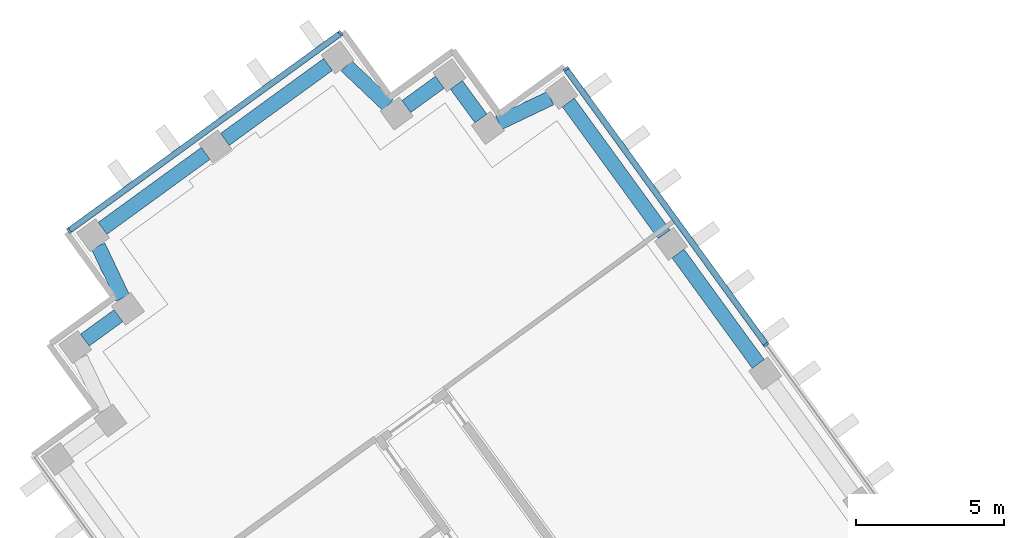
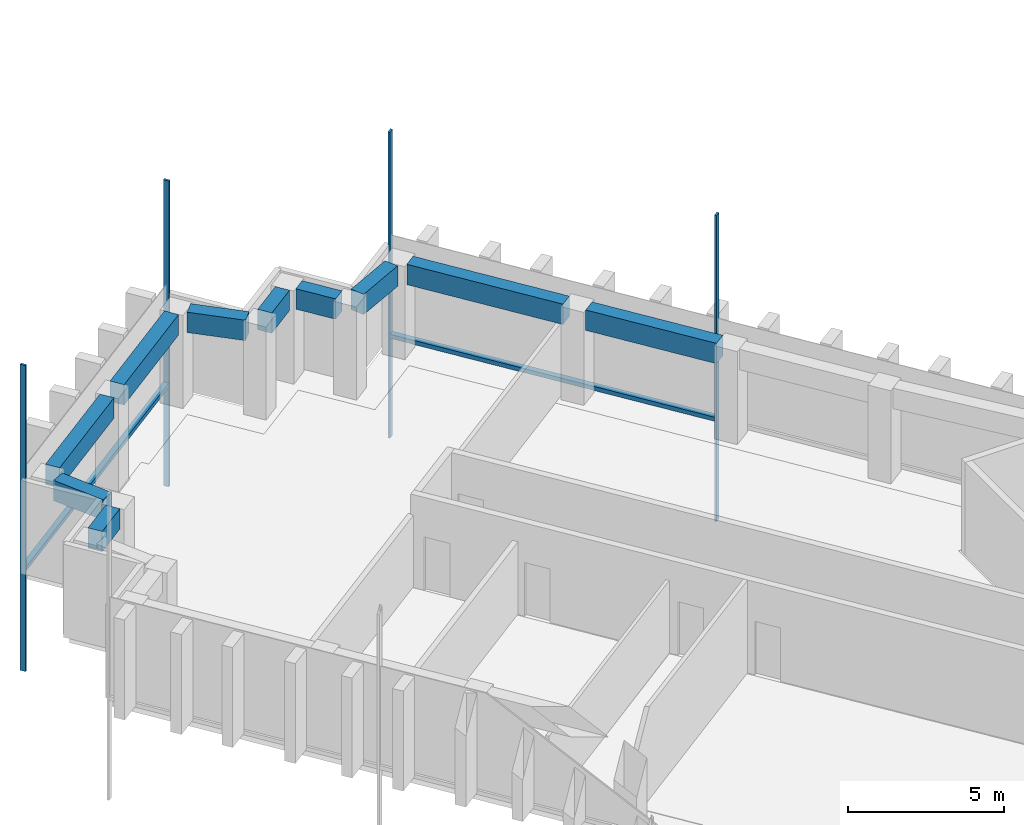
# One storey, part 4 of 13: 10 beams, 6 members, 2 elements without a shape of their own.
"""IFC4 building model written with IfcOpenShell, lengths in metres."""

from ifc_helpers import new_model, si_unit, direction, frame, origin, origin_2d, place, context, subcontext, project, spatial, rectangle, extrude, material, material_profile, profile_set, type_object, element, aggregate, save


model = new_model("IFC4")

# Units and contexts
model_context = context("Model", 3, precision=1e-05, world=origin(), true_north=direction((0.0, 1.0)))
body_context = subcontext(model_context, "Body", "Model", "MODEL_VIEW")
ifc_project = project(units=[si_unit("LENGTHUNIT", "METRE"), si_unit("AREAUNIT", "SQUARE_METRE"), si_unit("VOLUMEUNIT", "CUBIC_METRE"), si_unit("PLANEANGLEUNIT", "RADIAN"), si_unit("MASSUNIT", "GRAM", prefix="KILO")], contexts=[model_context])

# Site, building, storey
site_placement = place(None, origin())
site = spatial("IfcSite", under=ifc_project, at=site_placement, CompositionType="ELEMENT")
building_placement = place(site_placement, origin())
building = spatial("IfcBuilding", under=site, at=building_placement, Name="Quipu Civic Tower", CompositionType="ELEMENT")
storey_placement = place(building_placement, frame((0.0, 0.0, 172.0)))
storey = spatial("IfcBuildingStorey", under=building, at=storey_placement, Name="L40", CompositionType="ELEMENT", Elevation=172.0)

# Curtain wall, members
ifc_material_1 = material(Name="Insulated glass unit", Category="glass")
curtain_wall_type = type_object("IfcCurtainWallType", Name="Office curtain wall CW1", PredefinedType="NOTDEFINED", material=ifc_material_1)
curtain_wall_1_placement = place(storey_placement, origin())
curtain_wall_1 = element("IfcCurtainWall", 1, at=curtain_wall_1_placement, inside=storey, type_object=curtain_wall_type, Name="Office curtain wall CW1 L39 run 1", PredefinedType="NOTDEFINED")
ifc_material_2 = material(Name="Anodised aluminium", Category="aluminium")
ifc_material_profile_1 = material_profile(ifc_material_2, rectangle(XDim=0.199951171875, YDim=0.080078125, at=origin_2d()), Name="RECT 200x80")
ifc_profile_set_1 = profile_set([ifc_material_profile_1], Name="Anodised aluminium")
member_type_1 = type_object("IfcMemberType", Name="Mullion CW1", PredefinedType="MULLION", material=ifc_profile_set_1)
member_1_placement = place(storey_placement, frame((-21.11669921875, 20.421630859375, -3.919921875), z_axis=(0.0, 0.0, 1.0), x_axis=(-0.809014469803, -0.587788727052, 0.0)))
member_1 = element("IfcMember", 2, at=member_1_placement, type_object=member_type_1, Name="CW1 mullion 2", PredefinedType="MULLION", context=body_context, shape_type="SweptSolid", body=[
    extrude(rectangle(XDim=0.199951171875, YDim=0.080078125, at=origin_2d()), origin(), (0.0, 0.0, 1.0), 12.0),
])
member_2_placement = place(storey_placement, frame((-27.865966796875, 29.7109375, -3.919921875), z_axis=(0.0, 0.0, 1.0), x_axis=(-0.809014469803, -0.587788727052, 0.0)))
member_2 = element("IfcMember", 3, at=member_2_placement, type_object=member_type_1, Name="CW1 mullion 3", PredefinedType="MULLION", context=body_context, shape_type="SweptSolid", body=[
    extrude(rectangle(XDim=0.199951171875, YDim=0.080078125, at=origin_2d()), origin(), (0.0, 0.0, 1.0), 12.0),
])

curtain_wall_2_placement = place(storey_placement, origin())
curtain_wall_2 = element("IfcCurtainWall", 4, at=curtain_wall_2_placement, inside=storey, type_object=curtain_wall_type, Name="Office curtain wall CW1 L39 run 6", PredefinedType="NOTDEFINED")
member_3_placement = place(storey_placement, frame((-35.46435546875, 30.914306640625, -3.919921875), z_axis=(0.0, 0.0, 1.0), x_axis=(0.587787753918, -0.809015176832, 0.0)))
member_3 = element("IfcMember", 5, at=member_3_placement, type_object=member_type_1, Name="CW1 mullion 1", PredefinedType="MULLION", context=body_context, shape_type="SweptSolid", body=[
    extrude(rectangle(XDim=0.199951171875, YDim=0.080078125, at=origin_2d()), origin(), (0.0, 0.0, 1.0), 12.0),
])
member_4_placement = place(storey_placement, frame((-44.62255859375, 24.260498046875, -3.919921875), z_axis=(0.0, 0.0, 1.0), x_axis=(0.587787753918, -0.809015176832, 0.0)))
member_4 = element("IfcMember", 6, at=member_4_placement, type_object=member_type_1, Name="CW1 mullion 2", PredefinedType="MULLION", context=body_context, shape_type="SweptSolid", body=[
    extrude(rectangle(XDim=0.199951171875, YDim=0.080078125, at=origin_2d()), origin(), (0.0, 0.0, 1.0), 12.0),
])

# Beams
ifc_material_3 = material(Name="Concrete C50/60", Category="concrete")
ifc_material_profile_2 = material_profile(ifc_material_3, rectangle(XDim=0.5, YDim=0.800048828125, at=origin_2d()), Name="RC500x800")
ifc_profile_set_2 = profile_set([ifc_material_profile_2], Name="Concrete C50/60")
beam_type = type_object("IfcBeamType", Name="Spandrel beam RC 500x800 C50/60", PredefinedType="SPANDREL", material=ifc_profile_set_2)
beam_1_placement = place(storey_placement, frame((-21.382568359375, 19.767333984375, 3.25), z_axis=(-0.587736122681, 0.809052686848, 0.0), x_axis=(-0.809052686848, -0.587736122681, 0.0)))
element("IfcBeam", 7, at=beam_1_placement, inside=storey, type_object=beam_type, Name="Spandrel beam L40 W-IN-02 to W-IN-03", PredefinedType="SPANDREL", context=body_context, shape_type="SweptSolid", body=[
    extrude(rectangle(XDim=0.5, YDim=0.800048828125, at=origin_2d()), origin(), (0.0, 0.0, 1.0), 4.60009765625),
])
beam_2_placement = place(storey_placement, frame((-24.556396484375, 24.13623046875, 3.25), z_axis=(-0.587664254196, 0.809104890815, 0.0), x_axis=(-0.809104890815, -0.587664254196, 0.0)))
element("IfcBeam", 8, at=beam_2_placement, inside=storey, type_object=beam_type, Name="Spandrel beam L40 W-IN-03 to T-Wi.0-W34", PredefinedType="SPANDREL", context=body_context, shape_type="SweptSolid", body=[
    extrude(rectangle(XDim=0.5, YDim=0.800048828125, at=origin_2d()), origin(), (0.0, 0.0, 1.0), 5.493896484375),
])
beam_3_placement = place(storey_placement, frame((-28.38720703125, 28.72998046875, 3.25), z_axis=(-0.902584802379, -0.430512107279, 0.0), x_axis=(0.430512107279, -0.902584802379, 0.0)))
element("IfcBeam", 9, at=beam_3_placement, inside=storey, type_object=beam_type, Name="Spandrel beam L40 T-Wi.0-W34 to T-Wi.1-W34", PredefinedType="SPANDREL", context=body_context, shape_type="SweptSolid", body=[
    extrude(rectangle(XDim=0.5, YDim=0.800048828125, at=origin_2d()), origin(), (0.0, 0.0, 1.0), 1.9326171875),
])
beam_4_placement = place(storey_placement, frame((-30.734375, 28.0458984375, 3.25), z_axis=(-0.589342949835, 0.80788296645, 0.0), x_axis=(-0.80788296645, -0.589342949835, 0.0)))
element("IfcBeam", 10, at=beam_4_placement, inside=storey, type_object=beam_type, Name="Spandrel beam L40 T-Wi.1-W34 to T-Wi.2-W34", PredefinedType="SPANDREL", context=body_context, shape_type="SweptSolid", body=[
    extrude(rectangle(XDim=0.5, YDim=0.800048828125, at=origin_2d()), origin(), (0.0, 0.0, 1.0), 1.39990234375),
])
beam_5_placement = place(storey_placement, frame((-32.118896484375, 29.26513671875, 3.25), z_axis=(-0.80941533633, -0.587236590578, 0.0), x_axis=(0.587236590578, -0.80941533633, 0.0)))
element("IfcBeam", 11, at=beam_5_placement, inside=storey, type_object=beam_type, Name="Spandrel beam L40 T-Wi.2-W34 to T-Wi.3-W34", PredefinedType="SPANDREL", context=body_context, shape_type="SweptSolid", body=[
    extrude(rectangle(XDim=0.5, YDim=0.800048828125, at=origin_2d()), origin(), (0.0, 0.0, 1.0), 1.397705078125),
])
beam_6_placement = place(storey_placement, frame((-33.868896484375, 28.489501953125, 3.25), z_axis=(-0.72519185421, 0.68854685722, 0.0), x_axis=(-0.68854685722, -0.72519185421, 0.0)))
element("IfcBeam", 12, at=beam_6_placement, inside=storey, type_object=beam_type, Name="Spandrel beam L40 T-Wi.3-W34 to T-Wi.4-W34", PredefinedType="SPANDREL", context=body_context, shape_type="SweptSolid", body=[
    extrude(rectangle(XDim=0.5, YDim=0.800048828125, at=origin_2d()), origin(), (0.0, 0.0, 1.0), 1.93212890625),
])
beam_7_placement = place(storey_placement, frame((-35.888671875, 29.86474609375, 3.25), z_axis=(-0.808983997561, -0.58783066583, 0.0), x_axis=(0.58783066583, -0.808983997561, 0.0)))
element("IfcBeam", 13, at=beam_7_placement, inside=storey, type_object=beam_type, Name="Spandrel beam L40 T-Wi.4-W34 to TIP-W-01-W34", PredefinedType="SPANDREL", context=body_context, shape_type="SweptSolid", body=[
    extrude(rectangle(XDim=0.5, YDim=0.800048828125, at=origin_2d()), origin(), (0.0, 0.0, 1.0), 4.2998046875),
])
beam_8_placement = place(storey_placement, frame((-40.014404296875, 26.866943359375, 3.25), z_axis=(-0.808947267178, -0.587881211578, 0.0), x_axis=(0.587881211578, -0.808947267178, 0.0)))
element("IfcBeam", 14, at=beam_8_placement, inside=storey, type_object=beam_type, Name="Spandrel beam L40 TIP-W-01-W34 to T-Wo.0-W34", PredefinedType="SPANDREL", context=body_context, shape_type="SweptSolid", body=[
    extrude(rectangle(XDim=0.5, YDim=0.800048828125, at=origin_2d()), origin(), (0.0, 0.0, 1.0), 4.29833984375),
])
beam_9_placement = place(storey_placement, frame((-43.64013671875, 23.737548828125, 3.25), z_axis=(0.429889421342, -0.902881545618, 0.0), x_axis=(0.902881545618, 0.429889421342, 0.0)))
element("IfcBeam", 15, at=beam_9_placement, inside=storey, type_object=beam_type, Name="Spandrel beam L40 T-Wo.0-W34 to T-Wo.1-W34", PredefinedType="SPANDREL", context=body_context, shape_type="SweptSolid", body=[
    extrude(rectangle(XDim=0.5, YDim=0.800048828125, at=origin_2d()), origin(), (0.0, 0.0, 1.0), 1.931396484375),
])
beam_10_placement = place(storey_placement, frame((-42.958740234375, 21.391357421875, 3.25), z_axis=(-0.809467380413, -0.587164849125, 0.0), x_axis=(0.587164849125, -0.809467380413, 0.0)))
element("IfcBeam", 16, at=beam_10_placement, inside=storey, type_object=beam_type, Name="Spandrel beam L40 T-Wo.1-W34 to T-Wo.2-W34", PredefinedType="SPANDREL", context=body_context, shape_type="SweptSolid", body=[
    extrude(rectangle(XDim=0.5, YDim=0.800048828125, at=origin_2d()), origin(), (0.0, 0.0, 1.0), 1.399169921875),
])

# Member
ifc_material_4 = material(Name="Anodised aluminium", Category="aluminium")
ifc_material_profile_3 = material_profile(ifc_material_4, rectangle(XDim=0.199951171875, YDim=0.159912109375, at=origin_2d()), Name="RECT 200x160")
ifc_profile_set_3 = profile_set([ifc_material_profile_3], Name="Anodised aluminium")
member_type_2 = type_object("IfcMemberType", Name="Transom CW1", PredefinedType="USERDEFINED", material=ifc_profile_set_3)
member_5_placement = place(storey_placement, frame((-21.140380859375, 20.453857421875, 0.080078125), z_axis=(-0.587775682251, 0.809023947331, 0.0), x_axis=(-0.809023947331, -0.587775682251, 0.0)))
member_5 = element("IfcMember", 17, at=member_5_placement, type_object=member_type_2, Name="CW1 transom 2.2", ObjectType="TRANSOM", PredefinedType="USERDEFINED", context=body_context, shape_type="SweptSolid", body=[
    extrude(rectangle(XDim=0.199951171875, YDim=0.159912109375, at=origin_2d()), origin(), (0.0, 0.0, 1.0), 11.402099609375),
])

aggregate(curtain_wall_1, [member_1, member_2, member_5])

member_6_placement = place(storey_placement, frame((-35.496826171875, 30.890869140625, 0.080078125), z_axis=(-0.809014959561, -0.587788052963, 0.0), x_axis=(0.587788052963, -0.809014959561, 0.0)))
member_6 = element("IfcMember", 18, at=member_6_placement, type_object=member_type_2, Name="CW1 transom 1.2", ObjectType="TRANSOM", PredefinedType="USERDEFINED", context=body_context, shape_type="SweptSolid", body=[
    extrude(rectangle(XDim=0.199951171875, YDim=0.159912109375, at=origin_2d()), origin(), (0.0, 0.0, 1.0), 11.239990234375),
])

aggregate(curtain_wall_2, [member_3, member_4, member_6])

save(model, "model.ifc")
